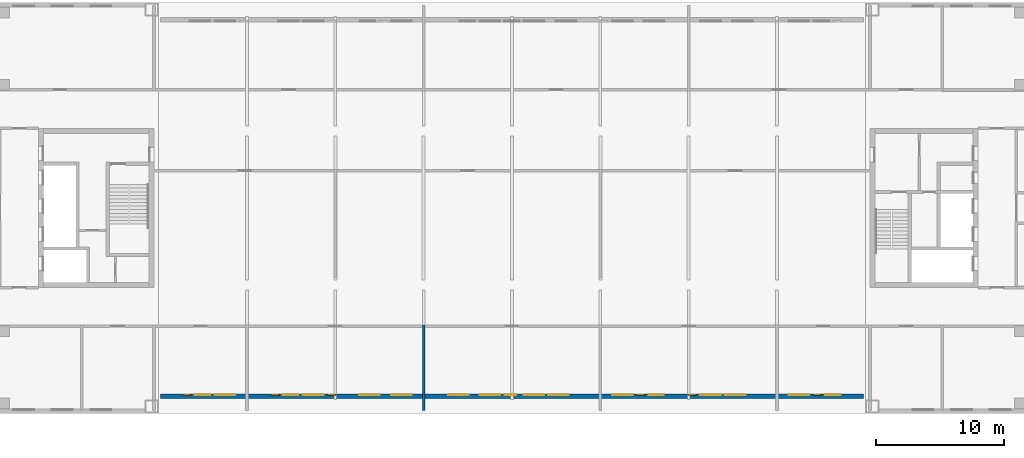
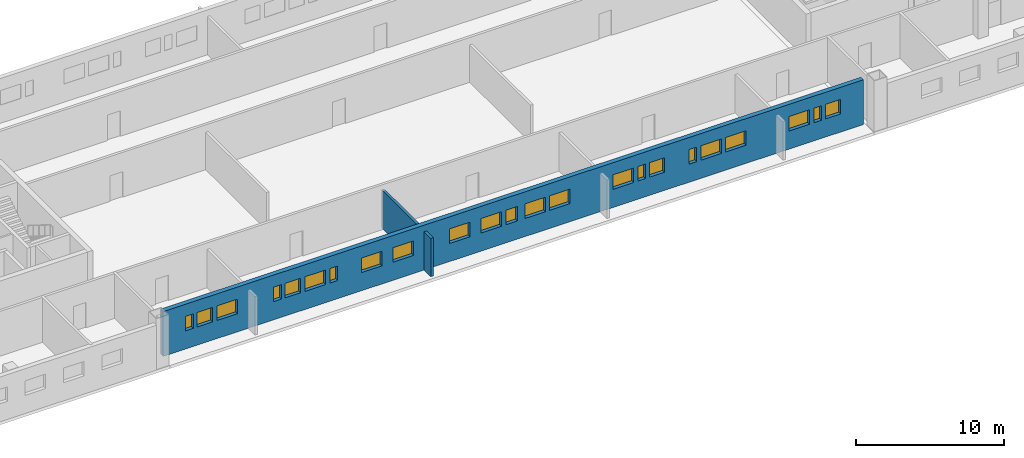
# One storey, part 6 of 13: 23 windows, 2 walls, 23 openings.
"""IFC4 building model written with IfcOpenShell, lengths in metres."""

from ifc_helpers import new_model, si_unit, direction, frame, frame_2d, origin, place, context, subcontext, project, spatial, rectangle, extrude, material, layer, layer_set, type_object, element, fill, save


model = new_model("IFC4")

# Units and contexts
model_context = context("Model", 3, precision=1e-05, world=origin(), true_north=direction((0.0, 1.0)))
body_context = subcontext(model_context, "Body", "Model", "MODEL_VIEW")
ifc_project = project(units=[si_unit("LENGTHUNIT", "METRE"), si_unit("AREAUNIT", "SQUARE_METRE"), si_unit("VOLUMEUNIT", "CUBIC_METRE"), si_unit("PLANEANGLEUNIT", "RADIAN"), si_unit("MASSUNIT", "GRAM", prefix="KILO")], contexts=[model_context])

# Site, building, storey
site_placement = place(None, origin())
site = spatial("IfcSite", under=ifc_project, at=site_placement, CompositionType="ELEMENT")
building_placement = place(site_placement, origin())
building = spatial("IfcBuilding", under=site, at=building_placement, Name="Tuart Gate Housing", CompositionType="ELEMENT")
storey_placement = place(building_placement, frame((0.0, 0.0, 198.60009765625)))
storey = spatial("IfcBuildingStorey", under=building, at=storey_placement, Name="L56", CompositionType="ELEMENT", Elevation=198.60009765625)

# Wall, openings, windows
ifc_material_1 = material(Name="Brick", Category="masonry")
ifc_layer_1 = layer(ifc_material_1, 0.360107421875)
ifc_layer_set_1 = layer_set([ifc_layer_1], Name="Brick pier and spandrel wall 360")
wall_type_1 = type_object("IfcWallType", Name="Brick pier and spandrel wall 360", PredefinedType="STANDARD", material=ifc_layer_set_1)
wall_1_placement = place(storey_placement, frame((76.14990234375, 55.340087890625, 0.0), z_axis=(0.0, 0.0, 1.0), x_axis=(1.0, 0.0, 0.0)))
wall_1 = element("IfcWall", 1, at=wall_1_placement, inside=storey, type_object=wall_type_1, Name="External wall BLK-S L56", PredefinedType="STANDARD", context=body_context, shape_type="SweptSolid", body=[
    extrude(rectangle(XDim=54.7001953125, YDim=0.360107421875, at=frame_2d((27.35009765625, 0.0))), origin(), (0.0, 0.0, 1.0), 3.699951171875),
])
opening_1_placement = place(wall_1_placement, frame((1.75, 0.0, 1.5)))
opening_1 = element("IfcOpeningElement", 2, at=opening_1_placement, cuts=wall_1, Name="Opening W3C", PredefinedType="OPENING", context=body_context, shape_type="SweptSolid", body=[
    extrude(rectangle(XDim=0.60009765625, YDim=1.199951171875, at=frame_2d((0.300048828125, 0.60009765625))), frame((0.0, 0.18994140625, 0.0), z_axis=(0.0, -1.0, 0.0), x_axis=(1.0, 0.0, 0.0)), (0.0, 0.0, 1.0), 0.380126953125),
])
opening_2_placement = place(wall_1_placement, frame((4.206298828125, 0.0, 1.5)))
opening_2 = element("IfcOpeningElement", 3, at=opening_2_placement, cuts=wall_1, Name="Opening W3", PredefinedType="OPENING", context=body_context, shape_type="SweptSolid", body=[
    extrude(rectangle(XDim=1.60009765625, YDim=1.199951171875, at=frame_2d((0.800048828125, 0.60009765625))), frame((0.0, 0.18994140625, 0.0), z_axis=(0.0, -1.0, 0.0), x_axis=(1.0, 0.0, 0.0)), (0.0, 0.0, 1.0), 0.380126953125),
])
opening_3_placement = place(wall_1_placement, frame((8.625, 0.0, 1.5)))
opening_3 = element("IfcOpeningElement", 4, at=opening_3_placement, cuts=wall_1, Name="Opening W3C", PredefinedType="OPENING", context=body_context, shape_type="SweptSolid", body=[
    extrude(rectangle(XDim=0.60009765625, YDim=1.199951171875, at=frame_2d((0.300048828125, 0.60009765625))), frame((0.0, 0.18994140625, 0.0), z_axis=(0.0, -1.0, 0.0), x_axis=(1.0, 0.0, 0.0)), (0.0, 0.0, 1.0), 0.380126953125),
])
opening_4_placement = place(wall_1_placement, frame((11.081298828125, 0.0, 1.5)))
opening_4 = element("IfcOpeningElement", 5, at=opening_4_placement, cuts=wall_1, Name="Opening W3", PredefinedType="OPENING", context=body_context, shape_type="SweptSolid", body=[
    extrude(rectangle(XDim=1.60009765625, YDim=1.199951171875, at=frame_2d((0.800048828125, 0.60009765625))), frame((0.0, 0.18994140625, 0.0), z_axis=(0.0, -1.0, 0.0), x_axis=(1.0, 0.0, 0.0)), (0.0, 0.0, 1.0), 0.380126953125),
])
opening_5_placement = place(wall_1_placement, frame((9.52490234375, 0.0, 1.5)))
opening_5 = element("IfcOpeningElement", 6, at=opening_5_placement, cuts=wall_1, Name="Opening W3A", PredefinedType="OPENING", context=body_context, shape_type="SweptSolid", body=[
    extrude(rectangle(XDim=1.199951171875, YDim=1.199951171875, at=frame_2d((0.60009765625, 0.60009765625))), frame((0.0, 0.18994140625, 0.0), z_axis=(0.0, -1.0, 0.0), x_axis=(1.0, 0.0, 0.0)), (0.0, 0.0, 1.0), 0.380126953125),
])
opening_6_placement = place(wall_1_placement, frame((17.956298828125, 0.0, 1.5)))
opening_6 = element("IfcOpeningElement", 7, at=opening_6_placement, cuts=wall_1, Name="Opening W3", PredefinedType="OPENING", context=body_context, shape_type="SweptSolid", body=[
    extrude(rectangle(XDim=1.60009765625, YDim=1.199951171875, at=frame_2d((0.800048828125, 0.60009765625))), frame((0.0, 0.18994140625, 0.0), z_axis=(0.0, -1.0, 0.0), x_axis=(1.0, 0.0, 0.0)), (0.0, 0.0, 1.0), 0.380126953125),
])
opening_7_placement = place(wall_1_placement, frame((22.375, 0.0, 1.5)))
opening_7 = element("IfcOpeningElement", 8, at=opening_7_placement, cuts=wall_1, Name="Opening W3", PredefinedType="OPENING", context=body_context, shape_type="SweptSolid", body=[
    extrude(rectangle(XDim=1.60009765625, YDim=1.199951171875, at=frame_2d((0.800048828125, 0.60009765625))), frame((0.0, 0.18994140625, 0.0), z_axis=(0.0, -1.0, 0.0), x_axis=(1.0, 0.0, 0.0)), (0.0, 0.0, 1.0), 0.380126953125),
])
opening_8_placement = place(wall_1_placement, frame((24.831298828125, 0.0, 1.5)))
opening_8 = element("IfcOpeningElement", 9, at=opening_8_placement, cuts=wall_1, Name="Opening W3", PredefinedType="OPENING", context=body_context, shape_type="SweptSolid", body=[
    extrude(rectangle(XDim=1.60009765625, YDim=1.199951171875, at=frame_2d((0.800048828125, 0.60009765625))), frame((0.0, 0.18994140625, 0.0), z_axis=(0.0, -1.0, 0.0), x_axis=(1.0, 0.0, 0.0)), (0.0, 0.0, 1.0), 0.380126953125),
])
opening_9_placement = place(wall_1_placement, frame((28.268798828125, 0.0, 1.5)))
opening_9 = element("IfcOpeningElement", 10, at=opening_9_placement, cuts=wall_1, Name="Opening W3", PredefinedType="OPENING", context=body_context, shape_type="SweptSolid", body=[
    extrude(rectangle(XDim=1.60009765625, YDim=1.199951171875, at=frame_2d((0.800048828125, 0.60009765625))), frame((0.0, 0.18994140625, 0.0), z_axis=(0.0, -1.0, 0.0), x_axis=(1.0, 0.0, 0.0)), (0.0, 0.0, 1.0), 0.380126953125),
])
opening_10_placement = place(wall_1_placement, frame((26.77490234375, 0.0, 1.5)))
opening_10 = element("IfcOpeningElement", 11, at=opening_10_placement, cuts=wall_1, Name="Opening W3B", PredefinedType="OPENING", context=body_context, shape_type="SweptSolid", body=[
    extrude(rectangle(XDim=0.89990234375, YDim=1.199951171875, at=frame_2d((0.449951171875, 0.60009765625))), frame((0.0, 0.18994140625, 0.0), z_axis=(0.0, -1.0, 0.0), x_axis=(1.0, 0.0, 0.0)), (0.0, 0.0, 1.0), 0.380126953125),
])
opening_11_placement = place(wall_1_placement, frame((35.143798828125, 0.0, 1.5)))
opening_11 = element("IfcOpeningElement", 12, at=opening_11_placement, cuts=wall_1, Name="Opening W3", PredefinedType="OPENING", context=body_context, shape_type="SweptSolid", body=[
    extrude(rectangle(XDim=1.60009765625, YDim=1.199951171875, at=frame_2d((0.800048828125, 0.60009765625))), frame((0.0, 0.18994140625, 0.0), z_axis=(0.0, -1.0, 0.0), x_axis=(1.0, 0.0, 0.0)), (0.0, 0.0, 1.0), 0.380126953125),
])
opening_12_placement = place(wall_1_placement, frame((37.074951171875, 0.0, 1.5)))
opening_12 = element("IfcOpeningElement", 13, at=opening_12_placement, cuts=wall_1, Name="Opening W3C", PredefinedType="OPENING", context=body_context, shape_type="SweptSolid", body=[
    extrude(rectangle(XDim=0.60009765625, YDim=1.199951171875, at=frame_2d((0.300048828125, 0.60009765625))), frame((0.0, 0.18994140625, 0.0), z_axis=(0.0, -1.0, 0.0), x_axis=(1.0, 0.0, 0.0)), (0.0, 0.0, 1.0), 0.380126953125),
])
opening_13_placement = place(wall_1_placement, frame((42.018798828125, 0.0, 1.5)))
opening_13 = element("IfcOpeningElement", 14, at=opening_13_placement, cuts=wall_1, Name="Opening W3", PredefinedType="OPENING", context=body_context, shape_type="SweptSolid", body=[
    extrude(rectangle(XDim=1.60009765625, YDim=1.199951171875, at=frame_2d((0.800048828125, 0.60009765625))), frame((0.0, 0.18994140625, 0.0), z_axis=(0.0, -1.0, 0.0), x_axis=(1.0, 0.0, 0.0)), (0.0, 0.0, 1.0), 0.380126953125),
])
opening_14_placement = place(wall_1_placement, frame((37.97509765625, 0.0, 1.5)))
opening_14 = element("IfcOpeningElement", 15, at=opening_14_placement, cuts=wall_1, Name="Opening W3A", PredefinedType="OPENING", context=body_context, shape_type="SweptSolid", body=[
    extrude(rectangle(XDim=1.199951171875, YDim=1.199951171875, at=frame_2d((0.60009765625, 0.60009765625))), frame((0.0, 0.18994140625, 0.0), z_axis=(0.0, -1.0, 0.0), x_axis=(1.0, 0.0, 0.0)), (0.0, 0.0, 1.0), 0.380126953125),
])
opening_15_placement = place(wall_1_placement, frame((48.893798828125, 0.0, 1.5)))
opening_15 = element("IfcOpeningElement", 16, at=opening_15_placement, cuts=wall_1, Name="Opening W3", PredefinedType="OPENING", context=body_context, shape_type="SweptSolid", body=[
    extrude(rectangle(XDim=1.60009765625, YDim=1.199951171875, at=frame_2d((0.800048828125, 0.60009765625))), frame((0.0, 0.18994140625, 0.0), z_axis=(0.0, -1.0, 0.0), x_axis=(1.0, 0.0, 0.0)), (0.0, 0.0, 1.0), 0.380126953125),
])
opening_16_placement = place(wall_1_placement, frame((50.824951171875, 0.0, 1.5)))
opening_16 = element("IfcOpeningElement", 17, at=opening_16_placement, cuts=wall_1, Name="Opening W3C", PredefinedType="OPENING", context=body_context, shape_type="SweptSolid", body=[
    extrude(rectangle(XDim=0.60009765625, YDim=1.199951171875, at=frame_2d((0.300048828125, 0.60009765625))), frame((0.0, 0.18994140625, 0.0), z_axis=(0.0, -1.0, 0.0), x_axis=(1.0, 0.0, 0.0)), (0.0, 0.0, 1.0), 0.380126953125),
])
opening_17_placement = place(wall_1_placement, frame((2.64990234375, 0.0, 1.5)))
opening_17 = element("IfcOpeningElement", 18, at=opening_17_placement, cuts=wall_1, Name="Opening W3A", PredefinedType="OPENING", context=body_context, shape_type="SweptSolid", body=[
    extrude(rectangle(XDim=1.199951171875, YDim=1.199951171875, at=frame_2d((0.60009765625, 0.60009765625))), frame((0.0, 0.18994140625, 0.0), z_axis=(0.0, -1.0, 0.0), x_axis=(1.0, 0.0, 0.0)), (0.0, 0.0, 1.0), 0.380126953125),
])
opening_18_placement = place(wall_1_placement, frame((13.02490234375, 0.0, 1.5)))
opening_18 = element("IfcOpeningElement", 19, at=opening_18_placement, cuts=wall_1, Name="Opening W3C", PredefinedType="OPENING", context=body_context, shape_type="SweptSolid", body=[
    extrude(rectangle(XDim=0.60009765625, YDim=1.199951171875, at=frame_2d((0.300048828125, 0.60009765625))), frame((0.0, 0.18994140625, 0.0), z_axis=(0.0, -1.0, 0.0), x_axis=(1.0, 0.0, 0.0)), (0.0, 0.0, 1.0), 0.380126953125),
])
opening_19_placement = place(wall_1_placement, frame((15.47509765625, 0.0, 1.5)))
opening_19 = element("IfcOpeningElement", 20, at=opening_19_placement, cuts=wall_1, Name="Opening W3", PredefinedType="OPENING", context=body_context, shape_type="SweptSolid", body=[
    extrude(rectangle(XDim=1.60009765625, YDim=1.199951171875, at=frame_2d((0.800048828125, 0.60009765625))), frame((0.0, 0.18994140625, 0.0), z_axis=(0.0, -1.0, 0.0), x_axis=(1.0, 0.0, 0.0)), (0.0, 0.0, 1.0), 0.380126953125),
])
opening_20_placement = place(wall_1_placement, frame((30.175048828125, 0.0, 1.5)))
opening_20 = element("IfcOpeningElement", 21, at=opening_20_placement, cuts=wall_1, Name="Opening W3", PredefinedType="OPENING", context=body_context, shape_type="SweptSolid", body=[
    extrude(rectangle(XDim=1.60009765625, YDim=1.199951171875, at=frame_2d((0.800048828125, 0.60009765625))), frame((0.0, 0.18994140625, 0.0), z_axis=(0.0, -1.0, 0.0), x_axis=(1.0, 0.0, 0.0)), (0.0, 0.0, 1.0), 0.380126953125),
])
opening_21_placement = place(wall_1_placement, frame((41.074951171875, 0.0, 1.5)))
opening_21 = element("IfcOpeningElement", 22, at=opening_21_placement, cuts=wall_1, Name="Opening W3C", PredefinedType="OPENING", context=body_context, shape_type="SweptSolid", body=[
    extrude(rectangle(XDim=0.60009765625, YDim=1.199951171875, at=frame_2d((0.300048828125, 0.60009765625))), frame((0.0, 0.18994140625, 0.0), z_axis=(0.0, -1.0, 0.0), x_axis=(1.0, 0.0, 0.0)), (0.0, 0.0, 1.0), 0.380126953125),
])
opening_22_placement = place(wall_1_placement, frame((43.925048828125, 0.0, 1.5)))
opening_22 = element("IfcOpeningElement", 23, at=opening_22_placement, cuts=wall_1, Name="Opening W3", PredefinedType="OPENING", context=body_context, shape_type="SweptSolid", body=[
    extrude(rectangle(XDim=1.60009765625, YDim=1.199951171875, at=frame_2d((0.800048828125, 0.60009765625))), frame((0.0, 0.18994140625, 0.0), z_axis=(0.0, -1.0, 0.0), x_axis=(1.0, 0.0, 0.0)), (0.0, 0.0, 1.0), 0.380126953125),
])
opening_23_placement = place(wall_1_placement, frame((51.72509765625, 0.0, 1.5)))
opening_23 = element("IfcOpeningElement", 24, at=opening_23_placement, cuts=wall_1, Name="Opening W3A", PredefinedType="OPENING", context=body_context, shape_type="SweptSolid", body=[
    extrude(rectangle(XDim=1.199951171875, YDim=1.199951171875, at=frame_2d((0.60009765625, 0.60009765625))), frame((0.0, 0.18994140625, 0.0), z_axis=(0.0, -1.0, 0.0), x_axis=(1.0, 0.0, 0.0)), (0.0, 0.0, 1.0), 0.380126953125),
])
ifc_material_2 = material(Name="Aluminium louvre blades", Category="aluminium")
window_type_1 = type_object("IfcWindowType", Name="Louvre window 1200 x 1200", PartitioningType="DOUBLE_PANEL_HORIZONTAL", PredefinedType="WINDOW", material=ifc_material_2)
window_1_placement = place(opening_5_placement, origin())
window_1 = element("IfcWindow", 25, at=window_1_placement, inside=storey, type_object=window_type_1, Name="Louvre W3A", OverallHeight=1.199951171875, OverallWidth=1.199951171875, PartitioningType="DOUBLE_PANEL_HORIZONTAL", PredefinedType="WINDOW", context=body_context, shape_type="SweptSolid", body=[
    extrude(rectangle(XDim=1.199951171875, YDim=1.199951171875, at=frame_2d((0.60009765625, 0.60009765625))), frame((0.0, 0.150146484375, 0.0), z_axis=(0.0, -1.0, 0.0), x_axis=(1.0, 0.0, 0.0)), (0.0, 0.0, 1.0), 0.06005859375),
])
fill(opening_5, window_1)
window_2_placement = place(opening_14_placement, origin())
window_2 = element("IfcWindow", 26, at=window_2_placement, inside=storey, type_object=window_type_1, Name="Louvre W3A", OverallHeight=1.199951171875, OverallWidth=1.199951171875, PartitioningType="DOUBLE_PANEL_HORIZONTAL", PredefinedType="WINDOW", context=body_context, shape_type="SweptSolid", body=[
    extrude(rectangle(XDim=1.199951171875, YDim=1.199951171875, at=frame_2d((0.60009765625, 0.60009765625))), frame((0.0, 0.150146484375, 0.0), z_axis=(0.0, -1.0, 0.0), x_axis=(1.0, 0.0, 0.0)), (0.0, 0.0, 1.0), 0.06005859375),
])
fill(opening_14, window_2)
window_3_placement = place(opening_17_placement, origin())
window_3 = element("IfcWindow", 27, at=window_3_placement, inside=storey, type_object=window_type_1, Name="Louvre W3A", OverallHeight=1.199951171875, OverallWidth=1.199951171875, PartitioningType="DOUBLE_PANEL_HORIZONTAL", PredefinedType="WINDOW", context=body_context, shape_type="SweptSolid", body=[
    extrude(rectangle(XDim=1.199951171875, YDim=1.199951171875, at=frame_2d((0.60009765625, 0.60009765625))), frame((0.0, 0.150146484375, 0.0), z_axis=(0.0, -1.0, 0.0), x_axis=(1.0, 0.0, 0.0)), (0.0, 0.0, 1.0), 0.06005859375),
])
fill(opening_17, window_3)
window_4_placement = place(opening_23_placement, origin())
window_4 = element("IfcWindow", 28, at=window_4_placement, inside=storey, type_object=window_type_1, Name="Louvre W3A", OverallHeight=1.199951171875, OverallWidth=1.199951171875, PartitioningType="DOUBLE_PANEL_HORIZONTAL", PredefinedType="WINDOW", context=body_context, shape_type="SweptSolid", body=[
    extrude(rectangle(XDim=1.199951171875, YDim=1.199951171875, at=frame_2d((0.60009765625, 0.60009765625))), frame((0.0, 0.150146484375, 0.0), z_axis=(0.0, -1.0, 0.0), x_axis=(1.0, 0.0, 0.0)), (0.0, 0.0, 1.0), 0.06005859375),
])
fill(opening_23, window_4)
ifc_material_3 = material(Name="Aluminium louvre blades", Category="aluminium")
window_type_2 = type_object("IfcWindowType", Name="Louvre window 1600 x 1200", PartitioningType="DOUBLE_PANEL_HORIZONTAL", PredefinedType="WINDOW", material=ifc_material_3)
window_5_placement = place(opening_2_placement, origin())
window_5 = element("IfcWindow", 29, at=window_5_placement, inside=storey, type_object=window_type_2, Name="Louvre W3", OverallHeight=1.199951171875, OverallWidth=1.60009765625, PartitioningType="DOUBLE_PANEL_HORIZONTAL", PredefinedType="WINDOW", context=body_context, shape_type="SweptSolid", body=[
    extrude(rectangle(XDim=1.60009765625, YDim=1.199951171875, at=frame_2d((0.800048828125, 0.60009765625))), frame((0.0, 0.150146484375, 0.0), z_axis=(0.0, -1.0, 0.0), x_axis=(1.0, 0.0, 0.0)), (0.0, 0.0, 1.0), 0.06005859375),
])
fill(opening_2, window_5)
window_6_placement = place(opening_4_placement, origin())
window_6 = element("IfcWindow", 30, at=window_6_placement, inside=storey, type_object=window_type_2, Name="Louvre W3", OverallHeight=1.199951171875, OverallWidth=1.60009765625, PartitioningType="DOUBLE_PANEL_HORIZONTAL", PredefinedType="WINDOW", context=body_context, shape_type="SweptSolid", body=[
    extrude(rectangle(XDim=1.60009765625, YDim=1.199951171875, at=frame_2d((0.800048828125, 0.60009765625))), frame((0.0, 0.150146484375, 0.0), z_axis=(0.0, -1.0, 0.0), x_axis=(1.0, 0.0, 0.0)), (0.0, 0.0, 1.0), 0.06005859375),
])
fill(opening_4, window_6)
window_7_placement = place(opening_6_placement, origin())
window_7 = element("IfcWindow", 31, at=window_7_placement, inside=storey, type_object=window_type_2, Name="Louvre W3", OverallHeight=1.199951171875, OverallWidth=1.60009765625, PartitioningType="DOUBLE_PANEL_HORIZONTAL", PredefinedType="WINDOW", context=body_context, shape_type="SweptSolid", body=[
    extrude(rectangle(XDim=1.60009765625, YDim=1.199951171875, at=frame_2d((0.800048828125, 0.60009765625))), frame((0.0, 0.150146484375, 0.0), z_axis=(0.0, -1.0, 0.0), x_axis=(1.0, 0.0, 0.0)), (0.0, 0.0, 1.0), 0.06005859375),
])
fill(opening_6, window_7)
window_8_placement = place(opening_7_placement, origin())
window_8 = element("IfcWindow", 32, at=window_8_placement, inside=storey, type_object=window_type_2, Name="Louvre W3", OverallHeight=1.199951171875, OverallWidth=1.60009765625, PartitioningType="DOUBLE_PANEL_HORIZONTAL", PredefinedType="WINDOW", context=body_context, shape_type="SweptSolid", body=[
    extrude(rectangle(XDim=1.60009765625, YDim=1.199951171875, at=frame_2d((0.800048828125, 0.60009765625))), frame((0.0, 0.150146484375, 0.0), z_axis=(0.0, -1.0, 0.0), x_axis=(1.0, 0.0, 0.0)), (0.0, 0.0, 1.0), 0.06005859375),
])
fill(opening_7, window_8)
window_9_placement = place(opening_8_placement, origin())
window_9 = element("IfcWindow", 33, at=window_9_placement, inside=storey, type_object=window_type_2, Name="Louvre W3", OverallHeight=1.199951171875, OverallWidth=1.60009765625, PartitioningType="DOUBLE_PANEL_HORIZONTAL", PredefinedType="WINDOW", context=body_context, shape_type="SweptSolid", body=[
    extrude(rectangle(XDim=1.60009765625, YDim=1.199951171875, at=frame_2d((0.800048828125, 0.60009765625))), frame((0.0, 0.150146484375, 0.0), z_axis=(0.0, -1.0, 0.0), x_axis=(1.0, 0.0, 0.0)), (0.0, 0.0, 1.0), 0.06005859375),
])
fill(opening_8, window_9)
window_10_placement = place(opening_9_placement, origin())
window_10 = element("IfcWindow", 34, at=window_10_placement, inside=storey, type_object=window_type_2, Name="Louvre W3", OverallHeight=1.199951171875, OverallWidth=1.60009765625, PartitioningType="DOUBLE_PANEL_HORIZONTAL", PredefinedType="WINDOW", context=body_context, shape_type="SweptSolid", body=[
    extrude(rectangle(XDim=1.60009765625, YDim=1.199951171875, at=frame_2d((0.800048828125, 0.60009765625))), frame((0.0, 0.150146484375, 0.0), z_axis=(0.0, -1.0, 0.0), x_axis=(1.0, 0.0, 0.0)), (0.0, 0.0, 1.0), 0.06005859375),
])
fill(opening_9, window_10)
window_11_placement = place(opening_11_placement, origin())
window_11 = element("IfcWindow", 35, at=window_11_placement, inside=storey, type_object=window_type_2, Name="Louvre W3", OverallHeight=1.199951171875, OverallWidth=1.60009765625, PartitioningType="DOUBLE_PANEL_HORIZONTAL", PredefinedType="WINDOW", context=body_context, shape_type="SweptSolid", body=[
    extrude(rectangle(XDim=1.60009765625, YDim=1.199951171875, at=frame_2d((0.800048828125, 0.60009765625))), frame((0.0, 0.150146484375, 0.0), z_axis=(0.0, -1.0, 0.0), x_axis=(1.0, 0.0, 0.0)), (0.0, 0.0, 1.0), 0.06005859375),
])
fill(opening_11, window_11)
window_12_placement = place(opening_13_placement, origin())
window_12 = element("IfcWindow", 36, at=window_12_placement, inside=storey, type_object=window_type_2, Name="Louvre W3", OverallHeight=1.199951171875, OverallWidth=1.60009765625, PartitioningType="DOUBLE_PANEL_HORIZONTAL", PredefinedType="WINDOW", context=body_context, shape_type="SweptSolid", body=[
    extrude(rectangle(XDim=1.60009765625, YDim=1.199951171875, at=frame_2d((0.800048828125, 0.60009765625))), frame((0.0, 0.150146484375, 0.0), z_axis=(0.0, -1.0, 0.0), x_axis=(1.0, 0.0, 0.0)), (0.0, 0.0, 1.0), 0.06005859375),
])
fill(opening_13, window_12)
window_13_placement = place(opening_15_placement, origin())
window_13 = element("IfcWindow", 37, at=window_13_placement, inside=storey, type_object=window_type_2, Name="Louvre W3", OverallHeight=1.199951171875, OverallWidth=1.60009765625, PartitioningType="DOUBLE_PANEL_HORIZONTAL", PredefinedType="WINDOW", context=body_context, shape_type="SweptSolid", body=[
    extrude(rectangle(XDim=1.60009765625, YDim=1.199951171875, at=frame_2d((0.800048828125, 0.60009765625))), frame((0.0, 0.150146484375, 0.0), z_axis=(0.0, -1.0, 0.0), x_axis=(1.0, 0.0, 0.0)), (0.0, 0.0, 1.0), 0.06005859375),
])
fill(opening_15, window_13)
window_14_placement = place(opening_19_placement, origin())
window_14 = element("IfcWindow", 38, at=window_14_placement, inside=storey, type_object=window_type_2, Name="Louvre W3", OverallHeight=1.199951171875, OverallWidth=1.60009765625, PartitioningType="DOUBLE_PANEL_HORIZONTAL", PredefinedType="WINDOW", context=body_context, shape_type="SweptSolid", body=[
    extrude(rectangle(XDim=1.60009765625, YDim=1.199951171875, at=frame_2d((0.800048828125, 0.60009765625))), frame((0.0, 0.150146484375, 0.0), z_axis=(0.0, -1.0, 0.0), x_axis=(1.0, 0.0, 0.0)), (0.0, 0.0, 1.0), 0.06005859375),
])
fill(opening_19, window_14)
window_15_placement = place(opening_20_placement, origin())
window_15 = element("IfcWindow", 39, at=window_15_placement, inside=storey, type_object=window_type_2, Name="Louvre W3", OverallHeight=1.199951171875, OverallWidth=1.60009765625, PartitioningType="DOUBLE_PANEL_HORIZONTAL", PredefinedType="WINDOW", context=body_context, shape_type="SweptSolid", body=[
    extrude(rectangle(XDim=1.60009765625, YDim=1.199951171875, at=frame_2d((0.800048828125, 0.60009765625))), frame((0.0, 0.150146484375, 0.0), z_axis=(0.0, -1.0, 0.0), x_axis=(1.0, 0.0, 0.0)), (0.0, 0.0, 1.0), 0.06005859375),
])
fill(opening_20, window_15)
window_16_placement = place(opening_22_placement, origin())
window_16 = element("IfcWindow", 40, at=window_16_placement, inside=storey, type_object=window_type_2, Name="Louvre W3", OverallHeight=1.199951171875, OverallWidth=1.60009765625, PartitioningType="DOUBLE_PANEL_HORIZONTAL", PredefinedType="WINDOW", context=body_context, shape_type="SweptSolid", body=[
    extrude(rectangle(XDim=1.60009765625, YDim=1.199951171875, at=frame_2d((0.800048828125, 0.60009765625))), frame((0.0, 0.150146484375, 0.0), z_axis=(0.0, -1.0, 0.0), x_axis=(1.0, 0.0, 0.0)), (0.0, 0.0, 1.0), 0.06005859375),
])
fill(opening_22, window_16)
ifc_material_4 = material(Name="Aluminium louvre blades", Category="aluminium")
window_type_3 = type_object("IfcWindowType", Name="Louvre window 600 x 1200", PartitioningType="DOUBLE_PANEL_HORIZONTAL", PredefinedType="WINDOW", material=ifc_material_4)
window_17_placement = place(opening_1_placement, origin())
window_17 = element("IfcWindow", 41, at=window_17_placement, inside=storey, type_object=window_type_3, Name="Louvre W3C", OverallHeight=1.199951171875, OverallWidth=0.60009765625, PartitioningType="DOUBLE_PANEL_HORIZONTAL", PredefinedType="WINDOW", context=body_context, shape_type="SweptSolid", body=[
    extrude(rectangle(XDim=0.60009765625, YDim=1.199951171875, at=frame_2d((0.300048828125, 0.60009765625))), frame((0.0, 0.150146484375, 0.0), z_axis=(0.0, -1.0, 0.0), x_axis=(1.0, 0.0, 0.0)), (0.0, 0.0, 1.0), 0.06005859375),
])
fill(opening_1, window_17)
window_18_placement = place(opening_3_placement, origin())
window_18 = element("IfcWindow", 42, at=window_18_placement, inside=storey, type_object=window_type_3, Name="Louvre W3C", OverallHeight=1.199951171875, OverallWidth=0.60009765625, PartitioningType="DOUBLE_PANEL_HORIZONTAL", PredefinedType="WINDOW", context=body_context, shape_type="SweptSolid", body=[
    extrude(rectangle(XDim=0.60009765625, YDim=1.199951171875, at=frame_2d((0.300048828125, 0.60009765625))), frame((0.0, 0.150146484375, 0.0), z_axis=(0.0, -1.0, 0.0), x_axis=(1.0, 0.0, 0.0)), (0.0, 0.0, 1.0), 0.06005859375),
])
fill(opening_3, window_18)
window_19_placement = place(opening_12_placement, origin())
window_19 = element("IfcWindow", 43, at=window_19_placement, inside=storey, type_object=window_type_3, Name="Louvre W3C", OverallHeight=1.199951171875, OverallWidth=0.60009765625, PartitioningType="DOUBLE_PANEL_HORIZONTAL", PredefinedType="WINDOW", context=body_context, shape_type="SweptSolid", body=[
    extrude(rectangle(XDim=0.60009765625, YDim=1.199951171875, at=frame_2d((0.300048828125, 0.60009765625))), frame((0.0, 0.150146484375, 0.0), z_axis=(0.0, -1.0, 0.0), x_axis=(1.0, 0.0, 0.0)), (0.0, 0.0, 1.0), 0.06005859375),
])
fill(opening_12, window_19)
window_20_placement = place(opening_16_placement, origin())
window_20 = element("IfcWindow", 44, at=window_20_placement, inside=storey, type_object=window_type_3, Name="Louvre W3C", OverallHeight=1.199951171875, OverallWidth=0.60009765625, PartitioningType="DOUBLE_PANEL_HORIZONTAL", PredefinedType="WINDOW", context=body_context, shape_type="SweptSolid", body=[
    extrude(rectangle(XDim=0.60009765625, YDim=1.199951171875, at=frame_2d((0.300048828125, 0.60009765625))), frame((0.0, 0.150146484375, 0.0), z_axis=(0.0, -1.0, 0.0), x_axis=(1.0, 0.0, 0.0)), (0.0, 0.0, 1.0), 0.06005859375),
])
fill(opening_16, window_20)
window_21_placement = place(opening_18_placement, origin())
window_21 = element("IfcWindow", 45, at=window_21_placement, inside=storey, type_object=window_type_3, Name="Louvre W3C", OverallHeight=1.199951171875, OverallWidth=0.60009765625, PartitioningType="DOUBLE_PANEL_HORIZONTAL", PredefinedType="WINDOW", context=body_context, shape_type="SweptSolid", body=[
    extrude(rectangle(XDim=0.60009765625, YDim=1.199951171875, at=frame_2d((0.300048828125, 0.60009765625))), frame((0.0, 0.150146484375, 0.0), z_axis=(0.0, -1.0, 0.0), x_axis=(1.0, 0.0, 0.0)), (0.0, 0.0, 1.0), 0.06005859375),
])
fill(opening_18, window_21)
window_22_placement = place(opening_21_placement, origin())
window_22 = element("IfcWindow", 46, at=window_22_placement, inside=storey, type_object=window_type_3, Name="Louvre W3C", OverallHeight=1.199951171875, OverallWidth=0.60009765625, PartitioningType="DOUBLE_PANEL_HORIZONTAL", PredefinedType="WINDOW", context=body_context, shape_type="SweptSolid", body=[
    extrude(rectangle(XDim=0.60009765625, YDim=1.199951171875, at=frame_2d((0.300048828125, 0.60009765625))), frame((0.0, 0.150146484375, 0.0), z_axis=(0.0, -1.0, 0.0), x_axis=(1.0, 0.0, 0.0)), (0.0, 0.0, 1.0), 0.06005859375),
])
fill(opening_21, window_22)
ifc_material_5 = material(Name="Aluminium louvre blades", Category="aluminium")
window_type_4 = type_object("IfcWindowType", Name="Louvre window 900 x 1200", PartitioningType="DOUBLE_PANEL_HORIZONTAL", PredefinedType="WINDOW", material=ifc_material_5)
window_23_placement = place(opening_10_placement, origin())
window_23 = element("IfcWindow", 47, at=window_23_placement, inside=storey, type_object=window_type_4, Name="Louvre W3B", OverallHeight=1.199951171875, OverallWidth=0.89990234375, PartitioningType="DOUBLE_PANEL_HORIZONTAL", PredefinedType="WINDOW", context=body_context, shape_type="SweptSolid", body=[
    extrude(rectangle(XDim=0.89990234375, YDim=1.199951171875, at=frame_2d((0.449951171875, 0.60009765625))), frame((0.0, 0.150146484375, 0.0), z_axis=(0.0, -1.0, 0.0), x_axis=(1.0, 0.0, 0.0)), (0.0, 0.0, 1.0), 0.06005859375),
])
fill(opening_10, window_23)

# Wall
ifc_material_6 = material(Name="Concrete masonry 15 MPa", Category="masonry")
ifc_layer_2 = layer(ifc_material_6, 0.199951171875)
ifc_layer_set_2 = layer_set([ifc_layer_2], Name="Enclosure wall masonry 200")
wall_type_2 = type_object("IfcWallType", Name="Enclosure wall masonry 200", PredefinedType="PARTITIONING", material=ifc_layer_set_2)
wall_2_placement = place(storey_placement, frame((96.625, 54.239990234375, 0.0), z_axis=(0.0, 0.0, 1.0), x_axis=(0.0, 1.0, 0.0)))
element("IfcWall", 48, at=wall_2_placement, inside=storey, type_object=wall_type_2, Name="Enclosure wall masonry 200", PredefinedType="PARTITIONING", context=body_context, shape_type="SweptSolid", body=[
    extrude(rectangle(XDim=6.659912109375, YDim=0.199951171875, at=frame_2d((3.330078125, 0.0))), origin(), (0.0, 0.0, 1.0), 3.1669921875),
])

save(model, "model.ifc")
